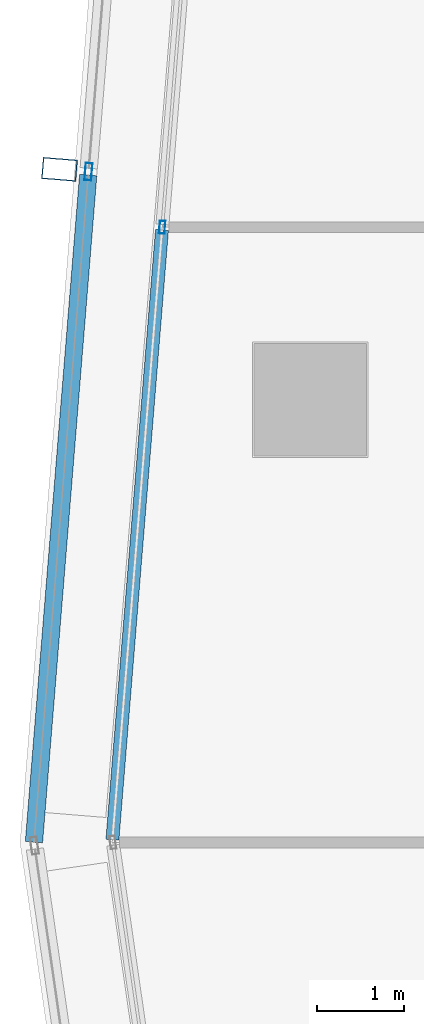
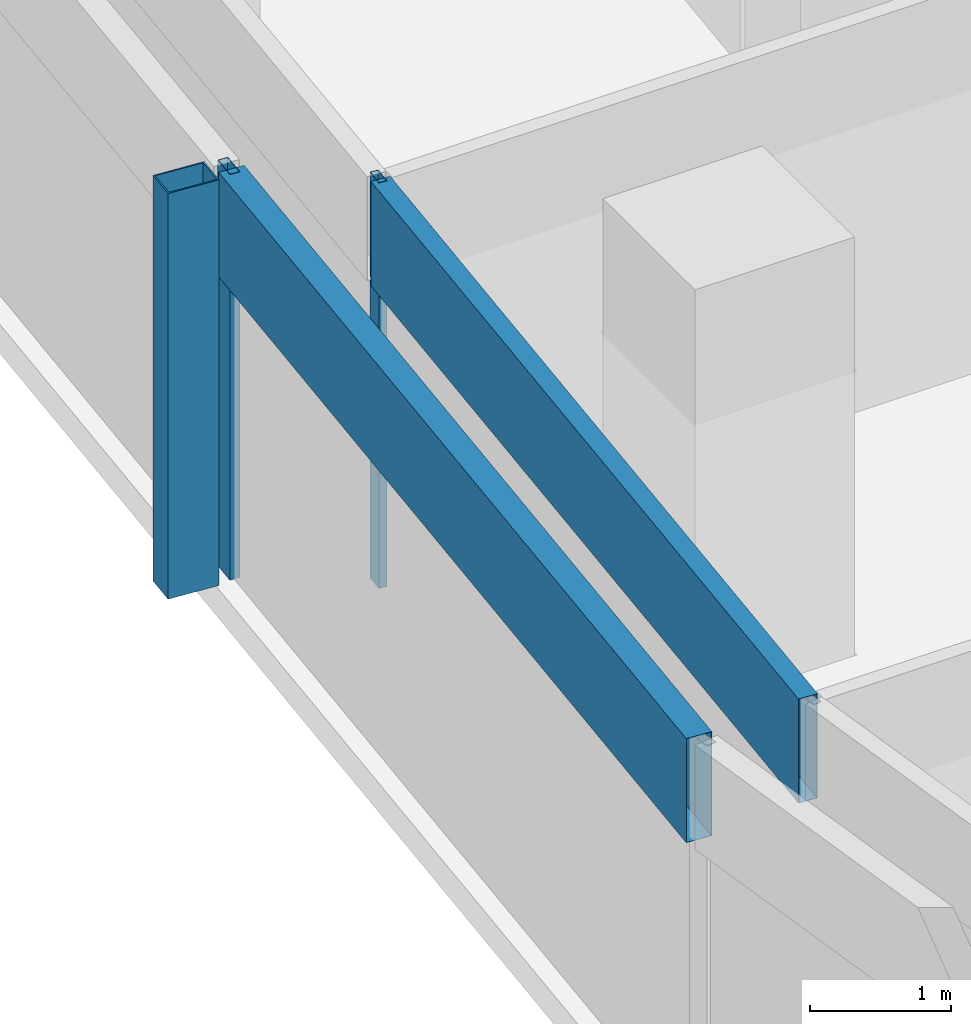
# One storey, part 7 of 30: 5 members, 2 elements without a shape of their own.
"""IFC4 building model written with IfcOpenShell, lengths in metres."""

from ifc_helpers import new_model, si_unit, direction, frame, origin, origin_2d, place, context, subcontext, project, spatial, hollow_rectangle, extrude, material, material_profile, profile_set, type_object, element, aggregate, save


model = new_model("IFC4")

# Units and contexts
model_context = context("Model", 3, precision=1e-05, world=origin(), true_north=direction((0.0, 1.0)))
body_context = subcontext(model_context, "Body", "Model", "MODEL_VIEW")
ifc_project = project(units=[si_unit("LENGTHUNIT", "METRE"), si_unit("AREAUNIT", "SQUARE_METRE"), si_unit("VOLUMEUNIT", "CUBIC_METRE"), si_unit("PLANEANGLEUNIT", "RADIAN"), si_unit("MASSUNIT", "GRAM", prefix="KILO")], contexts=[model_context])

# Site, building, storey
site_placement = place(None, origin())
site = spatial("IfcSite", under=ifc_project, at=site_placement, CompositionType="ELEMENT")
building_placement = place(site_placement, origin())
building = spatial("IfcBuilding", under=site, at=building_placement, Name="Rekha Terrace Tower", CompositionType="ELEMENT")
storey_placement = place(building_placement, frame((0.0, 0.0, 265.10009765625)))
storey = spatial("IfcBuildingStorey", under=building, at=storey_placement, Name="L67", CompositionType="ELEMENT", Elevation=265.10009765625)

# Curtain wall, member
ifc_material_1 = material(Name="Aluminium framing", Category="aluminium")
curtain_wall_type_1 = type_object("IfcCurtainWallType", Name="CW2 double skin outer glazing", PredefinedType="USERDEFINED", material=ifc_material_1)
curtain_wall_1_placement = place(storey_placement, origin())
curtain_wall_1 = element("IfcCurtainWall", 1, at=curtain_wall_1_placement, inside=storey, type_object=curtain_wall_type_1, Name="CW2 double skin outer glazing", ObjectType="DOUBLE SKIN OUTER GLAZING", PredefinedType="USERDEFINED")
ifc_material_2 = material(Name="Steel S355 with fluorocarbon finish", Category="steel")
ifc_material_profile_1 = material_profile(ifc_material_2, hollow_rectangle(XDim=0.25, YDim=0.39990234375, WallThickness=0.012451171875, at=origin_2d()), Name="RHS400x250x12.5")
ifc_profile_set_1 = profile_set([ifc_material_profile_1], Name="Steel S355 with fluorocarbon finish")
member_type_1 = type_object("IfcMemberType", Name="BL1 facade blade RHS 400 x 250", PredefinedType="USERDEFINED", material=ifc_profile_set_1)
member_1_placement = place(storey_placement, frame((5.506103515625, 36.257568359375, 0.0), z_axis=(0.0, 0.0, 1.0), x_axis=(-0.081068747348, -0.996708512156, 0.0)))
member_1 = element("IfcMember", 2, at=member_1_placement, type_object=member_type_1, Name="Facade blade", ObjectType="FACADE BLADE", PredefinedType="USERDEFINED", context=body_context, shape_type="SweptSolid", body=[
    extrude(hollow_rectangle(XDim=0.25, YDim=0.39990234375, WallThickness=0.012451171875, at=origin_2d()), origin(), (0.0, 0.0, 1.0), 3.5),
])

# Curtain wall, members
curtain_wall_type_2 = type_object("IfcCurtainWallType", Name="CW1 double skin inner glazing", PredefinedType="USERDEFINED", material=ifc_material_1)
curtain_wall_2_placement = place(storey_placement, origin())
curtain_wall_2 = element("IfcCurtainWall", 3, at=curtain_wall_2_placement, inside=storey, type_object=curtain_wall_type_2, Name="CW1 double skin inner glazing", ObjectType="DOUBLE SKIN INNER GLAZING", PredefinedType="USERDEFINED")
ifc_material_3 = material(Name="Aluminium mullion section", Category="aluminium")
ifc_material_profile_2 = material_profile(ifc_material_3, hollow_rectangle(XDim=0.06494140625, YDim=0.14990234375, WallThickness=0.00390625, at=origin_2d()), Name="AL RHS 65x150")
ifc_profile_set_2 = profile_set([ifc_material_profile_2], Name="Aluminium mullion section")
member_type_2 = type_object("IfcMemberType", Name="CW1 mullion RHS 65 x 150", PredefinedType="MULLION", material=ifc_profile_set_2)
member_2_placement = place(storey_placement, frame((6.69091796875, 35.58984375, 0.0), z_axis=(0.0, 0.0, 1.0), x_axis=(0.996708580524, -0.081067906781, 0.0)))
member_2 = element("IfcMember", 4, at=member_2_placement, type_object=member_type_2, Name="CW1 mullion 3", PredefinedType="MULLION", context=body_context, shape_type="SweptSolid", body=[
    extrude(hollow_rectangle(XDim=0.06494140625, YDim=0.14990234375, WallThickness=0.00390625, at=origin_2d()), origin(), (0.0, 0.0, 1.0), 3.5),
])
ifc_material_4 = material(Name="Insulated aluminium spandrel box", Category="aluminium")
ifc_material_profile_3 = material_profile(ifc_material_4, hollow_rectangle(XDim=0.14990234375, YDim=0.89990234375, WallThickness=0.0029296875, at=origin_2d()), Name="AL SPANDREL BOX 150x900")
ifc_profile_set_3 = profile_set([ifc_material_profile_3], Name="Insulated aluminium spandrel box")
member_type_3 = type_object("IfcMemberType", Name="CW1 spandrel transom 150 x 900", PredefinedType="USERDEFINED", material=ifc_profile_set_3)
member_3_placement = place(storey_placement, frame((6.688232421875, 35.557373046875, 3.0498046875), z_axis=(-0.081052724461, -0.996709815271, 0.0), x_axis=(0.996709815271, -0.081052724461, 0.0)))
member_3 = element("IfcMember", 5, at=member_3_placement, type_object=member_type_3, Name="CW1 spandrel transom 3", ObjectType="TRANSOM", PredefinedType="USERDEFINED", context=body_context, shape_type="SweptSolid", body=[
    extrude(hollow_rectangle(XDim=0.14990234375, YDim=0.89990234375, WallThickness=0.0029296875, at=origin_2d()), origin(), (0.0, 0.0, 1.0), 7.057373046875),
])
aggregate(curtain_wall_2, [member_2, member_3])

# Member
ifc_material_profile_4 = material_profile(ifc_material_3, hollow_rectangle(XDim=0.080078125, YDim=0.199951171875, WallThickness=0.00390625, at=origin_2d()), Name="AL RHS 80x200")
ifc_profile_set_4 = profile_set([ifc_material_profile_4], Name="Aluminium mullion section")
member_type_4 = type_object("IfcMemberType", Name="CW2 mullion RHS 80 x 200", PredefinedType="MULLION", material=ifc_profile_set_4)
member_4_placement = place(storey_placement, frame((5.840087890625, 36.23046875, 0.0), z_axis=(0.0, 0.0, 1.0), x_axis=(0.996708580521, -0.081067906816, 0.0)))
member_4 = element("IfcMember", 6, at=member_4_placement, type_object=member_type_4, Name="CW2 mullion 3", PredefinedType="MULLION", context=body_context, shape_type="SweptSolid", body=[
    extrude(hollow_rectangle(XDim=0.080078125, YDim=0.199951171875, WallThickness=0.00390625, at=origin_2d()), origin(), (0.0, 0.0, 1.0), 3.5),
])

ifc_material_profile_5 = material_profile(ifc_material_4, hollow_rectangle(XDim=0.199951171875, YDim=0.89990234375, WallThickness=0.0029296875, at=origin_2d()), Name="AL SPANDREL BOX 200x900")
ifc_profile_set_5 = profile_set([ifc_material_profile_5], Name="Insulated aluminium spandrel box")
member_type_5 = type_object("IfcMemberType", Name="CW2 spandrel transom 200 x 900", PredefinedType="USERDEFINED", material=ifc_profile_set_5)
member_5_placement = place(storey_placement, frame((5.8369140625, 36.190673828125, 3.0498046875), z_axis=(-0.08107481866, -0.996708018318, 0.0), x_axis=(0.996708018318, -0.08107481866, 0.0)))
member_5 = element("IfcMember", 7, at=member_5_placement, type_object=member_type_5, Name="CW2 spandrel transom 3", ObjectType="TRANSOM", PredefinedType="USERDEFINED", context=body_context, shape_type="SweptSolid", body=[
    extrude(hollow_rectangle(XDim=0.199951171875, YDim=0.89990234375, WallThickness=0.0029296875, at=origin_2d()), origin(), (0.0, 0.0, 1.0), 7.720947265625),
])

aggregate(curtain_wall_1, [member_4, member_5, member_1])

save(model, "model.ifc")
